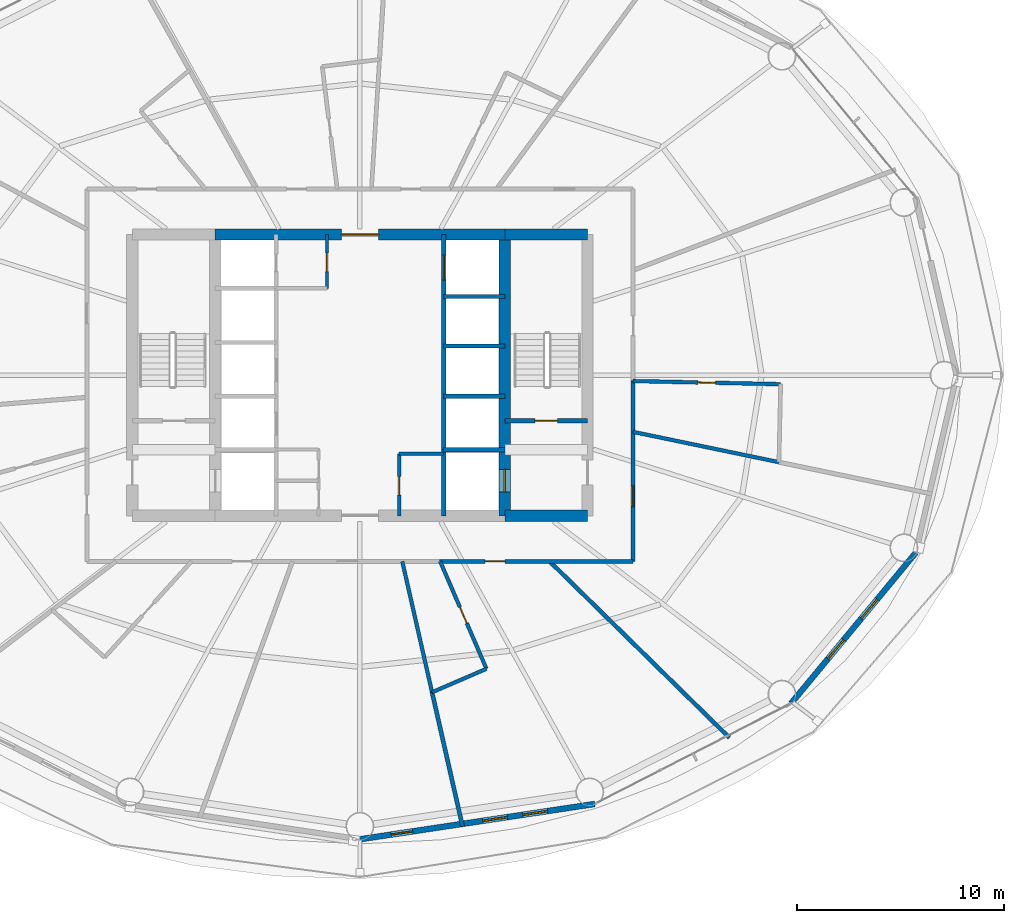
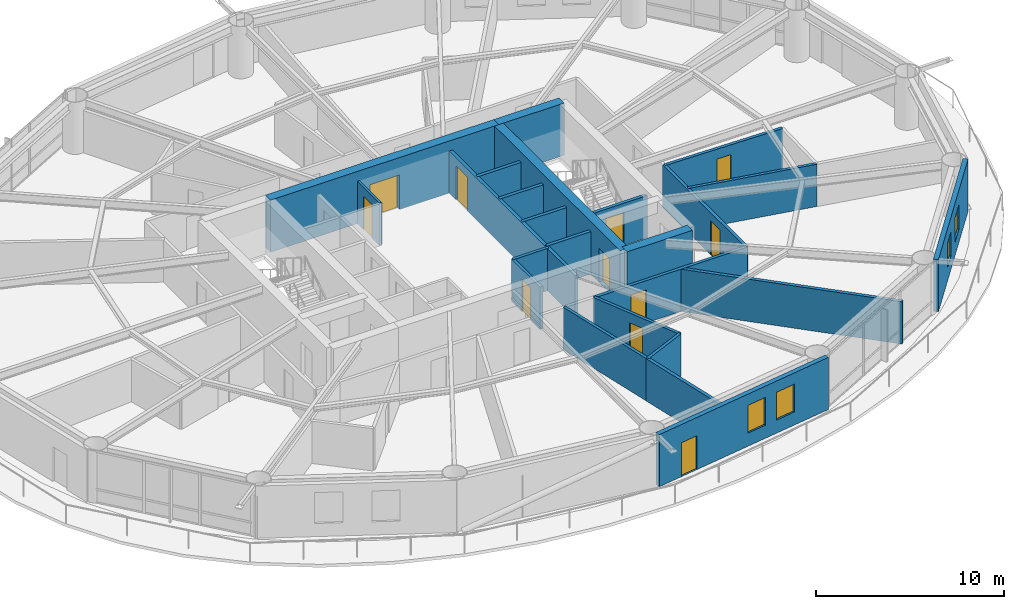
# One storey, part 19 of 24: 25 walls, 11 doors, 4 windows, 15 openings.
"""IFC4 building model written with IfcOpenShell, lengths in metres."""

from ifc_helpers import new_model, si_unit, direction, frame, frame_2d, origin, place, context, subcontext, project, spatial, rectangle, extrude, material, layer, layer_set, type_object, element, fill, save


model = new_model("IFC4")

# Units and contexts
model_context = context("Model", 3, precision=1e-05, world=origin(), true_north=direction((0.0, 1.0)))
body_context = subcontext(model_context, "Body", "Model", "MODEL_VIEW")
ifc_project = project(units=[si_unit("LENGTHUNIT", "METRE"), si_unit("AREAUNIT", "SQUARE_METRE"), si_unit("VOLUMEUNIT", "CUBIC_METRE"), si_unit("PLANEANGLEUNIT", "RADIAN"), si_unit("MASSUNIT", "GRAM", prefix="KILO")], contexts=[model_context])

# Site, building, storey
site_placement = place(None, origin())
site = spatial("IfcSite", under=ifc_project, at=site_placement, CompositionType="ELEMENT")
building_placement = place(site_placement, origin())
building = spatial("IfcBuilding", under=site, at=building_placement, Name="Sarneth Arch Tower", CompositionType="ELEMENT")
storey_placement = place(building_placement, frame((0.0, 0.0, 127.199951171875)))
storey = spatial("IfcBuildingStorey", under=building, at=storey_placement, Name="L32", CompositionType="ELEMENT", Elevation=127.199951171875)

# Wall
ifc_material_1 = material(Name="Concrete C60/75", Category="concrete")
ifc_layer_1 = layer(ifc_material_1, 0.550048828125)
ifc_layer_set_1 = layer_set([ifc_layer_1], Name="Concrete C60/75")
wall_type_1 = type_object("IfcWallType", Name="WALL-CORE-550", PredefinedType="SHEAR", material=ifc_layer_set_1)
wall_1_placement = place(storey_placement, frame((55.0, 35.199951171875, 0.0), z_axis=(0.0, 0.0, 1.0), x_axis=(1.0, 0.0, 0.0)))
element("IfcWall", 1, at=wall_1_placement, inside=storey, type_object=wall_type_1, Name="L32 Core shear wall S-E", PredefinedType="SHEAR", context=body_context, shape_type="SweptSolid", body=[
    extrude(rectangle(XDim=4.0, YDim=0.550048828125, at=frame_2d((2.0, 0.0))), origin(), (0.0, 0.0, 1.0), 3.380126953125),
])

# Wall, opening, door
wall_2_placement = place(storey_placement, frame((41.0, 48.800048828125, 0.0), z_axis=(0.0, 0.0, 1.0), x_axis=(1.0, 0.0, 0.0)))
wall_2 = element("IfcWall", 2, at=wall_2_placement, inside=storey, type_object=wall_type_1, Name="L32 Core shear wall N-M", PredefinedType="SHEAR", context=body_context, shape_type="SweptSolid", body=[
    extrude(rectangle(XDim=14.0, YDim=0.550048828125, at=frame_2d((7.0, 0.0))), origin(), (0.0, 0.0, 1.0), 3.380126953125),
])
opening_1_placement = place(wall_2_placement, frame((6.10009765625, 0.0, 0.0)))
opening_1 = element("IfcOpeningElement", 3, at=opening_1_placement, cuts=wall_2, Name="Opening FD-01", PredefinedType="OPENING", context=body_context, shape_type="SweptSolid", body=[
    extrude(rectangle(XDim=1.800048828125, YDim=2.25, at=frame_2d((0.89990234375, 1.125))), frame((0.0, 0.284912109375, 0.0), z_axis=(0.0, -1.0, 0.0), x_axis=(1.0, 0.0, 0.0)), (0.0, 0.0, 1.0), 0.570068359375),
])
ifc_material_2 = material(Name="Galvanised Steel S275 fire door set", Category="steel")
door_type_1 = type_object("IfcDoorType", Name="DR-FD90-1800", OperationType="DOUBLE_DOOR_SINGLE_SWING", PredefinedType="DOOR", material=ifc_material_2)
door_1_placement = place(opening_1_placement, origin())
door_1 = element("IfcDoor", 4, at=door_1_placement, inside=storey, type_object=door_type_1, Name="L32 Central lift lobby north door", OperationType="DOUBLE_DOOR_SINGLE_SWING", OverallHeight=2.25, OverallWidth=1.800048828125, PredefinedType="DOOR", context=body_context, shape_type="SweptSolid", body=[
    extrude(rectangle(XDim=1.800048828125, YDim=2.25, at=frame_2d((0.89990234375, 1.125))), frame((0.0, 0.02490234375, 0.0), z_axis=(0.0, -1.0, 0.0), x_axis=(1.0, 0.0, 0.0)), (0.0, 0.0, 1.0), 0.050048828125),
])
fill(opening_1, door_1)

# Wall
wall_3_placement = place(storey_placement, frame((55.0, 48.800048828125, 0.0), z_axis=(0.0, 0.0, 1.0), x_axis=(1.0, 0.0, 0.0)))
element("IfcWall", 5, at=wall_3_placement, inside=storey, type_object=wall_type_1, Name="L32 Core shear wall N-E", PredefinedType="SHEAR", context=body_context, shape_type="SweptSolid", body=[
    extrude(rectangle(XDim=4.0, YDim=0.550048828125, at=frame_2d((2.0, 0.0))), origin(), (0.0, 0.0, 1.0), 3.380126953125),
])

# Wall, opening, door
wall_4_placement = place(storey_placement, frame((55.0, 35.199951171875, 0.0), z_axis=(0.0, 0.0, 1.0), x_axis=(0.0, 1.0, 0.0)))
wall_4 = element("IfcWall", 6, at=wall_4_placement, inside=storey, type_object=wall_type_1, Name="L32 Core shear wall WEB-E", PredefinedType="SHEAR", context=body_context, shape_type="SweptSolid", body=[
    extrude(rectangle(XDim=13.60009765625, YDim=0.550048828125, at=frame_2d((6.800048828125, 0.0))), origin(), (0.0, 0.0, 1.0), 3.380126953125),
])
opening_2_placement = place(wall_4_placement, frame((1.14990234375, 0.0, 0.0)))
opening_2 = element("IfcOpeningElement", 7, at=opening_2_placement, cuts=wall_4, Name="Opening LD-1", PredefinedType="OPENING", context=body_context, shape_type="SweptSolid", body=[
    extrude(rectangle(XDim=1.10009765625, YDim=2.199951171875, at=frame_2d((0.550048828125, 1.10009765625))), frame((0.0, 0.284912109375, 0.0), z_axis=(0.0, -1.0, 0.0), x_axis=(1.0, 0.0, 0.0)), (0.0, 0.0, 1.0), 0.570068359375),
])
ifc_material_3 = material(Name="Brushed Stainless Steel 304 lift landing door", Category="steel")
door_type_2 = type_object("IfcDoorType", Name="DR-LIFT-SLIDE-1100", OperationType="SLIDING_TO_LEFT", PredefinedType="DOOR", material=ifc_material_3)
door_2_placement = place(opening_2_placement, origin())
door_2 = element("IfcDoor", 8, at=door_2_placement, inside=storey, type_object=door_type_2, Name="L32 Firefighting lift landing door FL-2", OperationType="SLIDING_TO_RIGHT", OverallHeight=2.199951171875, OverallWidth=1.10009765625, PredefinedType="DOOR", context=body_context, shape_type="SweptSolid", body=[
    extrude(rectangle(XDim=1.10009765625, YDim=2.199951171875, at=frame_2d((0.550048828125, 1.10009765625))), frame((0.0, 0.02490234375, 0.0), z_axis=(0.0, -1.0, 0.0), x_axis=(1.0, 0.0, 0.0)), (0.0, 0.0, 1.0), 0.050048828125),
])
fill(opening_2, door_2)

ifc_material_4 = material(Name="Double steel-stud corridor fire wall", Category="steel")
ifc_layer_2 = layer(ifc_material_4, 0.18994140625)
ifc_layer_set_2 = layer_set([ifc_layer_2], Name="Double steel-stud corridor fire wall")
wall_type_2 = type_object("IfcWallType", Name="WALL-CORR-190", PredefinedType="PARTITIONING", material=ifc_layer_set_2)
wall_5_placement = place(storey_placement, frame((61.199951171875, 41.749267578125, 0.0), z_axis=(0.0, 0.0, 1.0), x_axis=(0.0, -1.0, 0.0)))
wall_5 = element("IfcWall", 9, at=wall_5_placement, inside=storey, type_object=wall_type_2, Name="L32 Interior partition W-L32-TP-019", PredefinedType="PARTITIONING", context=body_context, shape_type="SweptSolid", body=[
    extrude(rectangle(XDim=8.749267578125, YDim=0.18994140625, at=frame_2d((4.37451171875, 0.0))), origin(), (0.0, 0.0, 1.0), 2.739990234375),
])
opening_3_placement = place(wall_5_placement, frame((5.102783203125, 0.0, 0.0)))
opening_3 = element("IfcOpeningElement", 10, at=opening_3_placement, cuts=wall_5, Name="Opening FD-08", PredefinedType="OPENING", context=body_context, shape_type="SweptSolid", body=[
    extrude(rectangle(XDim=1.0, YDim=2.199951171875, at=frame_2d((0.5, 1.10009765625))), frame((0.0, 0.10498046875, 0.0), z_axis=(0.0, -1.0, 0.0), x_axis=(1.0, 0.0, 0.0)), (0.0, 0.0, 1.0), 0.2099609375),
])
ifc_material_5 = material(Name="Hardwood timber acoustic fire door", Category="wood")
door_type_3 = type_object("IfcDoorType", Name="DR-FD60-1000", OperationType="SINGLE_SWING_LEFT", PredefinedType="DOOR", material=ifc_material_5)
door_3_placement = place(opening_3_placement, origin())
door_3 = element("IfcDoor", 11, at=door_3_placement, inside=storey, type_object=door_type_3, Name="L32 Interior door DR-L32-AMN-10", OperationType="SINGLE_SWING_LEFT", OverallHeight=2.199951171875, OverallWidth=1.0, PredefinedType="DOOR", context=body_context, shape_type="SweptSolid", body=[
    extrude(rectangle(XDim=1.0, YDim=2.199951171875, at=frame_2d((0.5, 1.10009765625))), frame((0.0, 0.02490234375, 0.0), z_axis=(0.0, -1.0, 0.0), x_axis=(1.0, 0.0, 0.0)), (0.0, 0.0, 1.0), 0.050048828125),
])
fill(opening_3, door_3)

wall_6_placement = place(storey_placement, frame((61.199951171875, 33.0, 0.0), z_axis=(0.0, 0.0, 1.0), x_axis=(-1.0, 0.0, 0.0)))
wall_6 = element("IfcWall", 12, at=wall_6_placement, inside=storey, type_object=wall_type_2, Name="L32 Interior partition W-L32-TP-017", PredefinedType="PARTITIONING", context=body_context, shape_type="SweptSolid", body=[
    extrude(rectangle(XDim=9.35546875, YDim=0.18994140625, at=frame_2d((4.677734375, 0.0))), origin(), (0.0, 0.0, 1.0), 2.739990234375),
])
opening_4_placement = place(wall_6_placement, frame((6.193359375, 0.0, 0.0)))
opening_4 = element("IfcOpeningElement", 13, at=opening_4_placement, cuts=wall_6, Name="Opening FD-09", PredefinedType="OPENING", context=body_context, shape_type="SweptSolid", body=[
    extrude(rectangle(XDim=0.949951171875, YDim=2.14990234375, at=frame_2d((0.47509765625, 1.074951171875))), frame((0.0, 0.10498046875, 0.0), z_axis=(0.0, -1.0, 0.0), x_axis=(1.0, 0.0, 0.0)), (0.0, 0.0, 1.0), 0.2099609375),
])
ifc_material_6 = material(Name="Hardwood timber hotel entrance fire door", Category="wood")
door_type_4 = type_object("IfcDoorType", Name="DR-FD60-950", OperationType="SINGLE_SWING_RIGHT", PredefinedType="DOOR", material=ifc_material_6)
door_4_placement = place(opening_4_placement, origin())
door_4 = element("IfcDoor", 14, at=door_4_placement, inside=storey, type_object=door_type_4, Name="L32 Interior door DR-L32-KEY-09", OperationType="SINGLE_SWING_LEFT", OverallHeight=2.14990234375, OverallWidth=0.949951171875, PredefinedType="DOOR", context=body_context, shape_type="SweptSolid", body=[
    extrude(rectangle(XDim=0.949951171875, YDim=2.14990234375, at=frame_2d((0.47509765625, 1.074951171875))), frame((0.0, 0.02490234375, 0.0), z_axis=(0.0, -1.0, 0.0), x_axis=(1.0, 0.0, 0.0)), (0.0, 0.0, 1.0), 0.050048828125),
])
fill(opening_4, door_4)

# Wall, openings, door, windows
ifc_material_7 = material(Name="Extruded terracotta rainscreen on Concrete C40/50 backing", Category="masonry")
ifc_layer_3 = layer(ifc_material_7, 0.280029296875)
ifc_layer_set_3 = layer_set([ifc_layer_3], Name="Extruded terracotta rainscreen on Concrete C40/50 backing")
wall_type_3 = type_object("IfcWallType", Name="WALL-EXT-TERRA-280", PredefinedType="SOLIDWALL", material=ifc_layer_set_3)
wall_7_placement = place(storey_placement, frame((48.0, 19.570068359375, 0.0), z_axis=(0.0, 0.0, 1.0), x_axis=(0.988877774656, 0.148730450117, 0.0)))
wall_7 = element("IfcWall", 15, at=wall_7_placement, inside=storey, type_object=wall_type_3, Name="L32 Terracotta perimeter wall 13", PredefinedType="SOLIDWALL", context=body_context, shape_type="SweptSolid", body=[
    extrude(rectangle(XDim=11.47900390625, YDim=0.280029296875, at=frame_2d((5.739501953125, 0.0))), origin(), (0.0, 0.0, 1.0), 3.380126953125),
])
opening_5_placement = place(wall_7_placement, frame((1.523681640625, 0.0, 0.0)))
opening_5 = element("IfcOpeningElement", 16, at=opening_5_placement, cuts=wall_7, Name="Opening BD-4", PredefinedType="OPENING", context=body_context, shape_type="SweptSolid", body=[
    extrude(rectangle(XDim=1.050048828125, YDim=2.199951171875, at=frame_2d((0.52490234375, 1.10009765625))), frame((0.0, 0.14990234375, 0.0), z_axis=(0.0, -1.0, 0.0), x_axis=(1.0, 0.0, 0.0)), (0.0, 0.0, 1.0), 0.300048828125),
])
opening_6_placement = place(wall_7_placement, frame((6.00830078125, 0.0, 0.85009765625)))
opening_6 = element("IfcOpeningElement", 17, at=opening_6_placement, cuts=wall_7, Name="Opening W-09", PredefinedType="OPENING", context=body_context, shape_type="SweptSolid", body=[
    extrude(rectangle(XDim=1.199951171875, YDim=1.800048828125, at=frame_2d((0.60009765625, 0.89990234375))), frame((0.0, 0.14990234375, 0.0), z_axis=(0.0, -1.0, 0.0), x_axis=(1.0, 0.0, 0.0)), (0.0, 0.0, 1.0), 0.300048828125),
])
opening_7_placement = place(wall_7_placement, frame((7.9677734375, 0.0, 0.85009765625)))
opening_7 = element("IfcOpeningElement", 18, at=opening_7_placement, cuts=wall_7, Name="Opening W-09", PredefinedType="OPENING", context=body_context, shape_type="SweptSolid", body=[
    extrude(rectangle(XDim=1.199951171875, YDim=1.800048828125, at=frame_2d((0.60009765625, 0.89990234375))), frame((0.0, 0.14990234375, 0.0), z_axis=(0.0, -1.0, 0.0), x_axis=(1.0, 0.0, 0.0)), (0.0, 0.0, 1.0), 0.300048828125),
])
ifc_material_8 = material(Name="Thermally broken Aluminium 6063-T6 and laminated safety glass", Category="aluminium")
door_type_5 = type_object("IfcDoorType", Name="DR-BALC-GLZ-1050", OperationType="SINGLE_SWING_RIGHT", PredefinedType="DOOR", material=ifc_material_8)
door_5_placement = place(opening_5_placement, origin())
door_5 = element("IfcDoor", 19, at=door_5_placement, inside=storey, type_object=door_type_5, Name="L32 Balcony glazed door 13", OperationType="SINGLE_SWING_RIGHT", OverallHeight=2.199951171875, OverallWidth=1.050048828125, PredefinedType="DOOR", context=body_context, shape_type="SweptSolid", body=[
    extrude(rectangle(XDim=1.050048828125, YDim=2.199951171875, at=frame_2d((0.52490234375, 1.10009765625))), frame((0.0, 0.02490234375, 0.0), z_axis=(0.0, -1.0, 0.0), x_axis=(1.0, 0.0, 0.0)), (0.0, 0.0, 1.0), 0.050048828125),
])
fill(opening_5, door_5)
ifc_material_9 = material(Name="Thermally broken Aluminium 6063-T6 and low-e laminated IGU", Category="aluminium")
window_type_1 = type_object("IfcWindowType", Name="WIN-TWR-1200x1800", PartitioningType="SINGLE_PANEL", PredefinedType="WINDOW", material=ifc_material_9)
window_1_placement = place(opening_6_placement, origin())
window_1 = element("IfcWindow", 20, at=window_1_placement, inside=storey, type_object=window_type_1, Name="L32 Exterior window 13A", OverallHeight=1.800048828125, OverallWidth=1.199951171875, PartitioningType="SINGLE_PANEL", PredefinedType="WINDOW", context=body_context, shape_type="SweptSolid", body=[
    extrude(rectangle(XDim=1.199951171875, YDim=1.800048828125, at=frame_2d((0.60009765625, 0.89990234375))), frame((0.0, 0.030029296875, 0.0), z_axis=(0.0, -1.0, 0.0), x_axis=(1.0, 0.0, 0.0)), (0.0, 0.0, 1.0), 0.06005859375),
])
fill(opening_6, window_1)
window_2_placement = place(opening_7_placement, origin())
window_2 = element("IfcWindow", 21, at=window_2_placement, inside=storey, type_object=window_type_1, Name="L32 Exterior window 13B", OverallHeight=1.800048828125, OverallWidth=1.199951171875, PartitioningType="SINGLE_PANEL", PredefinedType="WINDOW", context=body_context, shape_type="SweptSolid", body=[
    extrude(rectangle(XDim=1.199951171875, YDim=1.800048828125, at=frame_2d((0.60009765625, 0.89990234375))), frame((0.0, 0.030029296875, 0.0), z_axis=(0.0, -1.0, 0.0), x_axis=(1.0, 0.0, 0.0)), (0.0, 0.0, 1.0), 0.06005859375),
])
fill(opening_7, window_2)

# Wall, openings, windows
wall_8_placement = place(storey_placement, frame((68.840087890625, 26.1396484375, 0.0), z_axis=(0.0, 0.0, 1.0), x_axis=(0.637505817448, 0.770445541696, 0.0)))
wall_8 = element("IfcWall", 22, at=wall_8_placement, inside=storey, type_object=wall_type_3, Name="L32 Terracotta perimeter wall 15", PredefinedType="SOLIDWALL", context=body_context, shape_type="SweptSolid", body=[
    extrude(rectangle(XDim=9.445068359375, YDim=0.280029296875, at=frame_2d((4.72265625, 0.0))), origin(), (0.0, 0.0, 1.0), 3.380126953125),
])
opening_8_placement = place(wall_8_placement, frame((2.796630859375, 0.0, 0.85009765625)))
opening_8 = element("IfcOpeningElement", 23, at=opening_8_placement, cuts=wall_8, Name="Opening W-10", PredefinedType="OPENING", context=body_context, shape_type="SweptSolid", body=[
    extrude(rectangle(XDim=1.199951171875, YDim=1.60009765625, at=frame_2d((0.60009765625, 0.800048828125))), frame((0.0, 0.14990234375, 0.0), z_axis=(0.0, -1.0, 0.0), x_axis=(1.0, 0.0, 0.0)), (0.0, 0.0, 1.0), 0.300048828125),
])
opening_9_placement = place(wall_8_placement, frame((5.331787109375, 0.0, 0.85009765625)))
opening_9 = element("IfcOpeningElement", 24, at=opening_9_placement, cuts=wall_8, Name="Opening W-10", PredefinedType="OPENING", context=body_context, shape_type="SweptSolid", body=[
    extrude(rectangle(XDim=1.199951171875, YDim=1.60009765625, at=frame_2d((0.60009765625, 0.800048828125))), frame((0.0, 0.14990234375, 0.0), z_axis=(0.0, -1.0, 0.0), x_axis=(1.0, 0.0, 0.0)), (0.0, 0.0, 1.0), 0.300048828125),
])
ifc_material_10 = material(Name="Thermally broken Aluminium 6063-T6 and low-e laminated IGU", Category="aluminium")
window_type_2 = type_object("IfcWindowType", Name="WIN-TWR-1200x1600", PartitioningType="SINGLE_PANEL", PredefinedType="WINDOW", material=ifc_material_10)
window_3_placement = place(opening_8_placement, origin())
window_3 = element("IfcWindow", 25, at=window_3_placement, inside=storey, type_object=window_type_2, Name="L32 Exterior window 15A", OverallHeight=1.60009765625, OverallWidth=1.199951171875, PartitioningType="SINGLE_PANEL", PredefinedType="WINDOW", context=body_context, shape_type="SweptSolid", body=[
    extrude(rectangle(XDim=1.199951171875, YDim=1.60009765625, at=frame_2d((0.60009765625, 0.800048828125))), frame((0.0, 0.030029296875, 0.0), z_axis=(0.0, -1.0, 0.0), x_axis=(1.0, 0.0, 0.0)), (0.0, 0.0, 1.0), 0.06005859375),
])
fill(opening_8, window_3)
window_4_placement = place(opening_9_placement, origin())
window_4 = element("IfcWindow", 26, at=window_4_placement, inside=storey, type_object=window_type_2, Name="L32 Exterior window 15B", OverallHeight=1.60009765625, OverallWidth=1.199951171875, PartitioningType="SINGLE_PANEL", PredefinedType="WINDOW", context=body_context, shape_type="SweptSolid", body=[
    extrude(rectangle(XDim=1.199951171875, YDim=1.60009765625, at=frame_2d((0.60009765625, 0.800048828125))), frame((0.0, 0.030029296875, 0.0), z_axis=(0.0, -1.0, 0.0), x_axis=(1.0, 0.0, 0.0)), (0.0, 0.0, 1.0), 0.06005859375),
])
fill(opening_9, window_4)

# Wall, opening, door
ifc_material_11 = material(Name="Acoustic gypsum stud partition", Category="gypsum")
ifc_layer_4 = layer(ifc_material_11, 0.14990234375)
ifc_layer_set_4 = layer_set([ifc_layer_4], Name="Acoustic gypsum stud partition")
wall_type_4 = type_object("IfcWallType", Name="WALL-PART-150", PredefinedType="PARTITIONING", material=ifc_layer_set_4)
wall_9_placement = place(storey_placement, frame((46.39990234375, 46.199951171875, 0.0), z_axis=(0.0, 0.0, 1.0), x_axis=(0.0, 1.0, 0.0)))
wall_9 = element("IfcWall", 27, at=wall_9_placement, inside=storey, type_object=wall_type_4, Name="L32 Interior partition W-L32-CSUP3-E", PredefinedType="PARTITIONING", context=body_context, shape_type="SweptSolid", body=[
    extrude(rectangle(XDim=2.60009765625, YDim=0.14990234375, at=frame_2d((1.300048828125, 0.0))), origin(), (0.0, 0.0, 1.0), 2.739990234375),
])
opening_10_placement = place(wall_9_placement, frame((0.800048828125, 0.0, 0.0)))
opening_10 = element("IfcOpeningElement", 28, at=opening_10_placement, cuts=wall_9, Name="Opening FD-10", PredefinedType="OPENING", context=body_context, shape_type="SweptSolid", body=[
    extrude(rectangle(XDim=0.89990234375, YDim=2.14990234375, at=frame_2d((0.449951171875, 1.074951171875))), frame((0.0, 0.0849609375, 0.0), z_axis=(0.0, -1.0, 0.0), x_axis=(1.0, 0.0, 0.0)), (0.0, 0.0, 1.0), 0.169921875),
])
ifc_material_12 = material(Name="Galvanised Steel S275 riser/service fire door", Category="steel")
door_type_6 = type_object("IfcDoorType", Name="DR-FD60-900", OperationType="SINGLE_SWING_LEFT", PredefinedType="DOOR", material=ifc_material_12)
door_6_placement = place(opening_10_placement, origin())
door_6 = element("IfcDoor", 29, at=door_6_placement, inside=storey, type_object=door_type_6, Name="L32 Interior door DR-L32-CSUP3", OperationType="SINGLE_SWING_LEFT", OverallHeight=2.14990234375, OverallWidth=0.89990234375, PredefinedType="DOOR", context=body_context, shape_type="SweptSolid", body=[
    extrude(rectangle(XDim=0.89990234375, YDim=2.14990234375, at=frame_2d((0.449951171875, 1.074951171875))), frame((0.0, 0.02490234375, 0.0), z_axis=(0.0, -1.0, 0.0), x_axis=(1.0, 0.0, 0.0)), (0.0, 0.0, 1.0), 0.050048828125),
])
fill(opening_10, door_6)

# Wall
ifc_material_13 = material(Name="Moisture-resistant plumbing chase wall", Category="gypsum")
ifc_layer_5 = layer(ifc_material_13, 0.179931640625)
ifc_layer_set_5 = layer_set([ifc_layer_5], Name="Moisture-resistant plumbing chase wall")
wall_type_5 = type_object("IfcWallType", Name="WALL-PLUMB-180", PredefinedType="PLUMBINGWALL", material=ifc_layer_set_5)
wall_10_placement = place(storey_placement, frame((49.89990234375, 38.199951171875, 0.0), z_axis=(0.0, 0.0, 1.0), x_axis=(1.0, 0.0, 0.0)))
element("IfcWall", 30, at=wall_10_placement, inside=storey, type_object=wall_type_5, Name="L32 Interior partition W-L32-AWC-N", PredefinedType="PLUMBINGWALL", context=body_context, shape_type="SweptSolid", body=[
    extrude(rectangle(XDim=2.150146484375, YDim=0.179931640625, at=frame_2d((1.0751953125, 0.0))), origin(), (0.0, 0.0, 1.0), 2.739990234375),
])

# Wall, opening, door
wall_11_placement = place(storey_placement, frame((49.89990234375, 35.199951171875, 0.0), z_axis=(0.0, 0.0, 1.0), x_axis=(0.0, 1.0, 0.0)))
wall_11 = element("IfcWall", 31, at=wall_11_placement, inside=storey, type_object=wall_type_5, Name="L32 Interior partition W-L32-AWC-W", PredefinedType="PLUMBINGWALL", context=body_context, shape_type="SweptSolid", body=[
    extrude(rectangle(XDim=3.0, YDim=0.179931640625, at=frame_2d((1.5, 0.0))), origin(), (0.0, 0.0, 1.0), 2.739990234375),
])
opening_11_placement = place(wall_11_placement, frame((1.0, 0.0, 0.0)))
opening_11 = element("IfcOpeningElement", 32, at=opening_11_placement, cuts=wall_11, Name="Opening ID-01", PredefinedType="OPENING", context=body_context, shape_type="SweptSolid", body=[
    extrude(rectangle(XDim=0.89990234375, YDim=2.10009765625, at=frame_2d((0.449951171875, 1.050048828125))), frame((0.0, 0.099853515625, 0.0), z_axis=(0.0, -1.0, 0.0), x_axis=(1.0, 0.0, 0.0)), (0.0, 0.0, 1.0), 0.199951171875),
])
ifc_material_14 = material(Name="Engineered hardwood flush door", Category="wood")
door_type_7 = type_object("IfcDoorType", Name="DR-INT-900", OperationType="SINGLE_SWING_LEFT", PredefinedType="DOOR", material=ifc_material_14)
door_7_placement = place(opening_11_placement, origin())
door_7 = element("IfcDoor", 33, at=door_7_placement, inside=storey, type_object=door_type_7, Name="L32 Interior door DR-L32-AWC", OperationType="SINGLE_SWING_RIGHT", OverallHeight=2.10009765625, OverallWidth=0.89990234375, PredefinedType="DOOR", context=body_context, shape_type="SweptSolid", body=[
    extrude(rectangle(XDim=0.89990234375, YDim=2.10009765625, at=frame_2d((0.449951171875, 1.050048828125))), frame((0.0, 0.02490234375, 0.0), z_axis=(0.0, -1.0, 0.0), x_axis=(1.0, 0.0, 0.0)), (0.0, 0.0, 1.0), 0.050048828125),
])
fill(opening_11, door_7)

# Wall
wall_12_placement = place(storey_placement, frame((68.252197265625, 37.7958984375, 0.0), z_axis=(0.0, 0.0, 1.0), x_axis=(-0.979121746523, 0.20327470449, 0.0)))
element("IfcWall", 34, at=wall_12_placement, inside=storey, type_object=wall_type_5, Name="L32 Interior partition W-L32-TP-052", PredefinedType="PLUMBINGWALL", context=body_context, shape_type="SweptSolid", body=[
    extrude(rectangle(XDim=7.20263671875, YDim=0.179931640625, at=frame_2d((3.601318359375, 0.0))), origin(), (0.0, 0.0, 1.0), 2.739990234375),
])

# Wall, opening, door
wall_13_placement = place(storey_placement, frame((61.199951171875, 41.71728515625, 0.0), z_axis=(0.0, 0.0, 1.0), x_axis=(0.999770544785, -0.021420965911, 0.0)))
wall_13 = element("IfcWall", 35, at=wall_13_placement, inside=storey, type_object=wall_type_5, Name="L32 Interior partition W-L32-TP-053", PredefinedType="PLUMBINGWALL", context=body_context, shape_type="SweptSolid", body=[
    extrude(rectangle(XDim=7.134765625, YDim=0.179931640625, at=frame_2d((3.5673828125, 0.0))), origin(), (0.0, 0.0, 1.0), 2.739990234375),
])
opening_12_placement = place(wall_13_placement, frame((3.142333984375, 0.0, 0.0)))
opening_12 = element("IfcOpeningElement", 36, at=opening_12_placement, cuts=wall_13, Name="Opening ID-02", PredefinedType="OPENING", context=body_context, shape_type="SweptSolid", body=[
    extrude(rectangle(XDim=0.85009765625, YDim=2.10009765625, at=frame_2d((0.425048828125, 1.050048828125))), frame((0.0, 0.099853515625, 0.0), z_axis=(0.0, -1.0, 0.0), x_axis=(1.0, 0.0, 0.0)), (0.0, 0.0, 1.0), 0.199951171875),
])
ifc_material_15 = material(Name="Moisture-resistant bathroom timber door", Category="wood")
door_type_8 = type_object("IfcDoorType", Name="DR-INT-850", OperationType="SINGLE_SWING_RIGHT", PredefinedType="DOOR", material=ifc_material_15)
door_8_placement = place(opening_12_placement, origin())
door_8 = element("IfcDoor", 37, at=door_8_placement, inside=storey, type_object=door_type_8, Name="L32 Interior door DR-L32-ENS-11", OperationType="SINGLE_SWING_LEFT", OverallHeight=2.10009765625, OverallWidth=0.85009765625, PredefinedType="DOOR", context=body_context, shape_type="SweptSolid", body=[
    extrude(rectangle(XDim=0.85009765625, YDim=2.10009765625, at=frame_2d((0.425048828125, 1.050048828125))), frame((0.0, 0.02490234375, 0.0), z_axis=(0.0, -1.0, 0.0), x_axis=(1.0, 0.0, 0.0)), (0.0, 0.0, 1.0), 0.050048828125),
])
fill(opening_12, door_8)

# Wall
wall_14_placement = place(storey_placement, frame((51.486572265625, 26.67626953125, 0.0), z_axis=(0.0, 0.0, 1.0), x_axis=(-0.221842382837, 0.975082538648, 0.0)))
element("IfcWall", 38, at=wall_14_placement, inside=storey, type_object=wall_type_5, Name="L32 Interior partition W-L32-TP-047", PredefinedType="PLUMBINGWALL", context=body_context, shape_type="SweptSolid", body=[
    extrude(rectangle(XDim=6.4853515625, YDim=0.179931640625, at=frame_2d((3.24267578125, 0.0))), origin(), (0.0, 0.0, 1.0), 2.739990234375),
])

# Wall, opening, door
wall_15_placement = place(storey_placement, frame((51.87939453125, 33.0, 0.0), z_axis=(0.0, 0.0, 1.0), x_axis=(0.395831860018, -0.918323003412, 0.0)))
wall_15 = element("IfcWall", 39, at=wall_15_placement, inside=storey, type_object=wall_type_5, Name="L32 Interior partition W-L32-TP-048", PredefinedType="PLUMBINGWALL", context=body_context, shape_type="SweptSolid", body=[
    extrude(rectangle(XDim=5.651611328125, YDim=0.179931640625, at=frame_2d((2.82568359375, 0.0))), origin(), (0.0, 0.0, 1.0), 2.739990234375),
])
opening_13_placement = place(wall_15_placement, frame((2.40087890625, 0.0, 0.0)))
opening_13 = element("IfcOpeningElement", 40, at=opening_13_placement, cuts=wall_15, Name="Opening ID-02", PredefinedType="OPENING", context=body_context, shape_type="SweptSolid", body=[
    extrude(rectangle(XDim=0.85009765625, YDim=2.10009765625, at=frame_2d((0.425048828125, 1.050048828125))), frame((0.0, 0.099853515625, 0.0), z_axis=(0.0, -1.0, 0.0), x_axis=(1.0, 0.0, 0.0)), (0.0, 0.0, 1.0), 0.199951171875),
])
door_9_placement = place(opening_13_placement, origin())
door_9 = element("IfcDoor", 41, at=door_9_placement, inside=storey, type_object=door_type_8, Name="L32 Interior door DR-L32-ENS-09", OperationType="SINGLE_SWING_RIGHT", OverallHeight=2.10009765625, OverallWidth=0.85009765625, PredefinedType="DOOR", context=body_context, shape_type="SweptSolid", body=[
    extrude(rectangle(XDim=0.85009765625, YDim=2.10009765625, at=frame_2d((0.425048828125, 1.050048828125))), frame((0.0, 0.02490234375, 0.0), z_axis=(0.0, -1.0, 0.0), x_axis=(1.0, 0.0, 0.0)), (0.0, 0.0, 1.0), 0.050048828125),
])
fill(opening_13, door_9)

# Wall
wall_16_placement = place(storey_placement, frame((54.116455078125, 27.81005859375, 0.0), z_axis=(0.0, 0.0, 1.0), x_axis=(-0.918296301957, -0.395893801178, 0.0)))
element("IfcWall", 42, at=wall_16_placement, inside=storey, type_object=wall_type_5, Name="L32 Interior partition W-L32-TP-049", PredefinedType="PLUMBINGWALL", context=body_context, shape_type="SweptSolid", body=[
    extrude(rectangle(XDim=2.86376953125, YDim=0.179931640625, at=frame_2d((1.431884765625, 0.0))), origin(), (0.0, 0.0, 1.0), 2.739990234375),
])

# Wall, opening, door
ifc_material_16 = material(Name="Aerated concrete blockwork C25/30", Category="masonry")
ifc_layer_6 = layer(ifc_material_16, 0.199951171875)
ifc_layer_set_6 = layer_set([ifc_layer_6], Name="Aerated concrete blockwork C25/30")
wall_type_6 = type_object("IfcWallType", Name="WALL-SHAFT-200", PredefinedType="SOLIDWALL", material=ifc_layer_set_6)
wall_17_placement = place(storey_placement, frame((55.0, 39.800048828125, 0.0), z_axis=(0.0, 0.0, 1.0), x_axis=(1.0, 0.0, 0.0)))
wall_17 = element("IfcWall", 43, at=wall_17_placement, inside=storey, type_object=wall_type_6, Name="L32 Interior partition W-L32-ST2-S", PredefinedType="SOLIDWALL", context=body_context, shape_type="SweptSolid", body=[
    extrude(rectangle(XDim=4.0, YDim=0.199951171875, at=frame_2d((2.0, 0.0))), origin(), (0.0, 0.0, 1.0), 2.739990234375),
])
opening_14_placement = place(wall_17_placement, frame((1.449951171875, 0.0, 0.0)))
opening_14 = element("IfcOpeningElement", 44, at=opening_14_placement, cuts=wall_17, Name="Opening FD-03", PredefinedType="OPENING", context=body_context, shape_type="SweptSolid", body=[
    extrude(rectangle(XDim=1.10009765625, YDim=2.14990234375, at=frame_2d((0.550048828125, 1.074951171875))), frame((0.0, 0.10986328125, 0.0), z_axis=(0.0, -1.0, 0.0), x_axis=(1.0, 0.0, 0.0)), (0.0, 0.0, 1.0), 0.219970703125),
])
ifc_material_17 = material(Name="Galvanised Steel S275 fire door set", Category="steel")
door_type_9 = type_object("IfcDoorType", Name="DR-FD90-1100", OperationType="SINGLE_SWING_LEFT", PredefinedType="DOOR", material=ifc_material_17)
door_10_placement = place(opening_14_placement, origin())
door_10 = element("IfcDoor", 45, at=door_10_placement, inside=storey, type_object=door_type_9, Name="L32 Interior door DR-L32-ST2", OperationType="SINGLE_SWING_RIGHT", OverallHeight=2.14990234375, OverallWidth=1.10009765625, PredefinedType="DOOR", context=body_context, shape_type="SweptSolid", body=[
    extrude(rectangle(XDim=1.10009765625, YDim=2.14990234375, at=frame_2d((0.550048828125, 1.074951171875))), frame((0.0, 0.02490234375, 0.0), z_axis=(0.0, -1.0, 0.0), x_axis=(1.0, 0.0, 0.0)), (0.0, 0.0, 1.0), 0.050048828125),
])
fill(opening_14, door_10)

# Walls
wall_18_placement = place(storey_placement, frame((52.050048828125, 35.199951171875, 0.0), z_axis=(0.0, 0.0, 1.0), x_axis=(0.0, 1.0, 0.0)))
element("IfcWall", 46, at=wall_18_placement, inside=storey, type_object=wall_type_6, Name="L32 Interior partition W-L32-FL2-W", PredefinedType="SOLIDWALL", context=body_context, shape_type="SweptSolid", body=[
    extrude(rectangle(XDim=3.199951171875, YDim=0.199951171875, at=frame_2d((1.60009765625, 0.0))), origin(), (0.0, 0.0, 1.0), 2.739990234375),
])
wall_19_placement = place(storey_placement, frame((52.050048828125, 38.39990234375, 0.0), z_axis=(0.0, 0.0, 1.0), x_axis=(1.0, 0.0, 0.0)))
element("IfcWall", 47, at=wall_19_placement, inside=storey, type_object=wall_type_6, Name="L32 Interior partition W-L32-FL2-N", PredefinedType="SOLIDWALL", context=body_context, shape_type="SweptSolid", body=[
    extrude(rectangle(XDim=2.949951171875, YDim=0.199951171875, at=frame_2d((1.47509765625, 0.0))), origin(), (0.0, 0.0, 1.0), 2.739990234375),
])

# Wall, opening, door
wall_20_placement = place(storey_placement, frame((52.050048828125, 38.39990234375, 0.0), z_axis=(0.0, 0.0, 1.0), x_axis=(0.0, 1.0, 0.0)))
wall_20 = element("IfcWall", 48, at=wall_20_placement, inside=storey, type_object=wall_type_6, Name="L32 Interior partition W-L32-EASTBANK-FRONT", PredefinedType="SOLIDWALL", context=body_context, shape_type="SweptSolid", body=[
    extrude(rectangle(XDim=10.400146484375, YDim=0.199951171875, at=frame_2d((5.2001953125, 0.0))), origin(), (0.0, 0.0, 1.0), 2.739990234375),
])
opening_15_placement = place(wall_20_placement, frame((8.199951171875, 0.0, 0.0)))
opening_15 = element("IfcOpeningElement", 49, at=opening_15_placement, cuts=wall_20, Name="Opening LD-2", PredefinedType="OPENING", context=body_context, shape_type="SweptSolid", body=[
    extrude(rectangle(XDim=1.199951171875, YDim=2.199951171875, at=frame_2d((0.60009765625, 1.10009765625))), frame((0.0, 0.10986328125, 0.0), z_axis=(0.0, -1.0, 0.0), x_axis=(1.0, 0.0, 0.0)), (0.0, 0.0, 1.0), 0.219970703125),
])
ifc_material_18 = material(Name="Brushed Stainless Steel 304 service lift door", Category="steel")
door_type_10 = type_object("IfcDoorType", Name="DR-LIFT-SLIDE-1200", OperationType="SLIDING_TO_RIGHT", PredefinedType="DOOR", material=ifc_material_18)
door_11_placement = place(opening_15_placement, origin())
door_11 = element("IfcDoor", 50, at=door_11_placement, inside=storey, type_object=door_type_10, Name="L32 Lift landing door DR-L32-LD-SL1", OperationType="SLIDING_TO_RIGHT", OverallHeight=2.199951171875, OverallWidth=1.199951171875, PredefinedType="DOOR", context=body_context, shape_type="SweptSolid", body=[
    extrude(rectangle(XDim=1.199951171875, YDim=2.199951171875, at=frame_2d((0.60009765625, 1.10009765625))), frame((0.0, 0.02490234375, 0.0), z_axis=(0.0, -1.0, 0.0), x_axis=(1.0, 0.0, 0.0)), (0.0, 0.0, 1.0), 0.050048828125),
])
fill(opening_15, door_11)

# Walls
for number, where, z_axis, x_axis, name in (
    (51, (52.050048828125, 40.97998046875, 0.0), (0.0, 0.0, 1.0), (1.0, 0.0, 0.0), "L32 Interior partition W-L32-EB-DIV-4098"),
    (52, (52.050048828125, 43.419921875, 0.0), (0.0, 0.0, 1.0), (1.0, 0.0, 0.0), "L32 Interior partition W-L32-EB-DIV-4342"),
    (53, (52.050048828125, 45.800048828125, 0.0), (0.0, 0.0, 1.0), (1.0, 0.0, 0.0), "L32 Interior partition W-L32-EB-DIV-4580"),
):
    element("IfcWall", number, at=place(storey_placement, frame(where, z_axis=z_axis, x_axis=x_axis)), inside=storey, type_object=wall_type_6, Name=name, PredefinedType="SOLIDWALL", context=body_context, shape_type="SweptSolid", body=[
        extrude(rectangle(XDim=2.949951171875, YDim=0.199951171875, at=frame_2d((1.47509765625, 0.0))), origin(), (0.0, 0.0, 1.0), 2.739990234375),
    ])
ifc_material_19 = material(Name="Double steel-stud acoustic drywall", Category="steel")
ifc_layer_7 = layer(ifc_material_19, 0.199951171875)
ifc_layer_set_7 = layer_set([ifc_layer_7], Name="Double steel-stud acoustic drywall")
wall_type_7 = type_object("IfcWallType", Name="WALL-UNIT-200", PredefinedType="PARTITIONING", material=ifc_layer_set_7)
wall_21_placement = place(storey_placement, frame((57.173095703125, 33.0, 0.0), z_axis=(0.0, 0.0, 1.0), x_axis=(0.713799293149, -0.700350318841, 0.0)))
element("IfcWall", 54, at=wall_21_placement, inside=storey, type_object=wall_type_7, Name="L32 Interior partition W-L32-TP-050", PredefinedType="PARTITIONING", context=body_context, shape_type="SweptSolid", body=[
    extrude(rectangle(XDim=12.16259765625, YDim=0.199951171875, at=frame_2d((6.081298828125, 0.0))), origin(), (0.0, 0.0, 1.0), 2.739990234375),
])
wall_22_placement = place(storey_placement, frame((52.961181640625, 20.1953125, 0.0), z_axis=(0.0, 0.0, 1.0), x_axis=(-0.221859239387, 0.975078703438, 0.0)))
element("IfcWall", 55, at=wall_22_placement, inside=storey, type_object=wall_type_7, Name="L32 Interior partition W-L32-TP-046", PredefinedType="PARTITIONING", context=body_context, shape_type="SweptSolid", body=[
    extrude(rectangle(XDim=6.646484375, YDim=0.199951171875, at=frame_2d((3.3232421875, 0.0))), origin(), (0.0, 0.0, 1.0), 2.739990234375),
])

save(model, "model.ifc")
